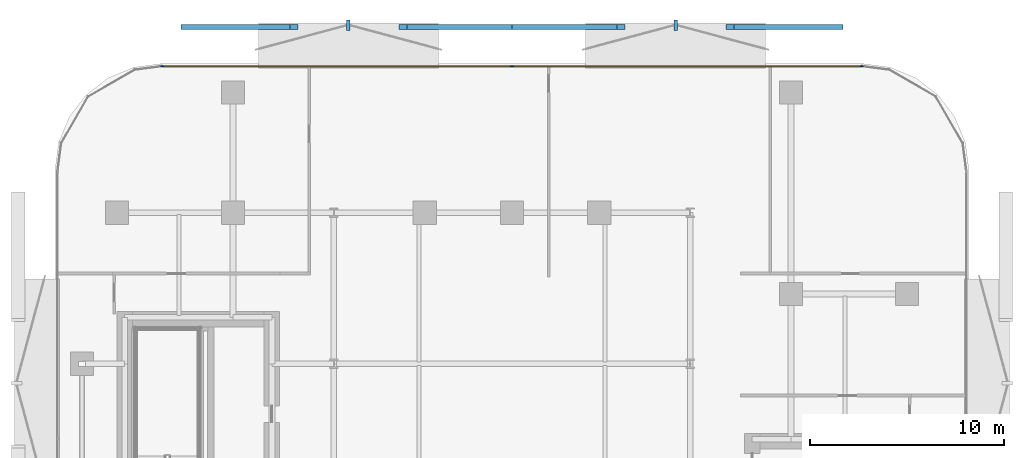
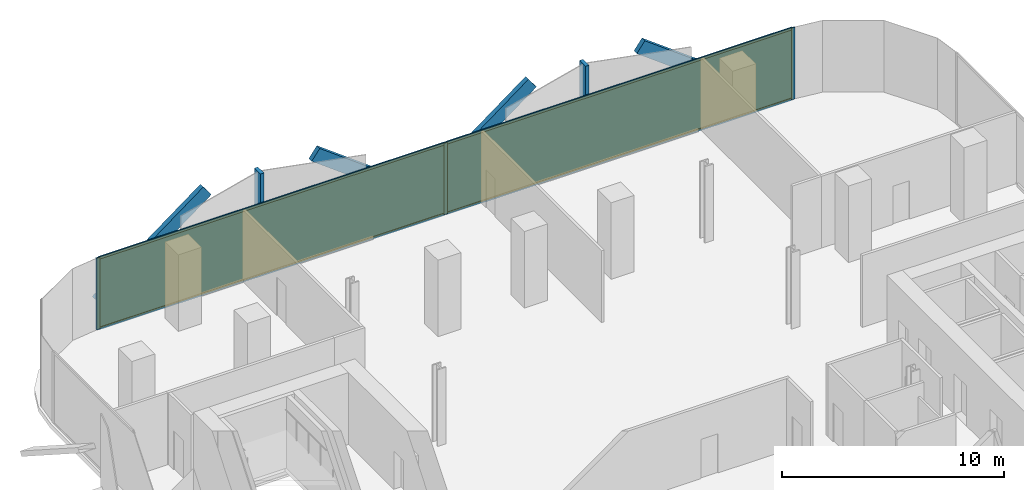
# One storey, part 10 of 15: 13 members, 2 plates, 1 curtain wall.
"""IFC4 building model written with IfcOpenShell, lengths in metres."""

from ifc_helpers import new_model, si_unit, direction, frame, frame_2d, origin, origin_2d, place, context, subcontext, project, spatial, rectangle, extrude, material, layer, layer_set, material_profile, profile_set, type_object, element, aggregate, save


model = new_model("IFC4")

# Units and contexts
model_context = context("Model", 3, precision=1e-05, world=origin(), true_north=direction((0.0, 1.0)))
body_context = subcontext(model_context, "Body", "Model", "MODEL_VIEW")
ifc_project = project(units=[si_unit("LENGTHUNIT", "METRE"), si_unit("AREAUNIT", "SQUARE_METRE"), si_unit("VOLUMEUNIT", "CUBIC_METRE"), si_unit("PLANEANGLEUNIT", "RADIAN"), si_unit("MASSUNIT", "GRAM", prefix="KILO")], contexts=[model_context])

# Member
ifc_material_1 = material(Name="Anodised Bronze Aluminium 6063-T6", Category="aluminium")
ifc_material_profile_1 = material_profile(ifc_material_1, rectangle(XDim=0.260009765625, YDim=0.699951171875, at=origin_2d()))
ifc_profile_set_1 = profile_set([ifc_material_profile_1], Name="Anodised Bronze Aluminium 6063-T6")
member_type_1 = type_object("IfcMemberType", Name="Bronze Diamond Solar-Screen Lattice Rib BDL-700", PredefinedType="MULLION", material=ifc_profile_set_1)
site_placement = place(None, origin())
building_placement = place(site_placement, origin())
storey_placement = place(building_placement, frame((0.0, 0.0, 131.0)))
member_1_placement = place(storey_placement, frame((-16.890869140625, 28.199951171875, -0.1298828125), z_axis=(0.801557173533, 0.0, 0.597918136167), x_axis=(0.0, 1.0, 0.0)))
member_1 = element("IfcMember", 1, at=member_1_placement, type_object=member_type_1, Name="L30 Bronze Diamond Solar Screen Lattice Rib 189A", PredefinedType="MULLION", context=body_context, shape_type="SweptSolid", body=[
    extrude(rectangle(XDim=0.260009765625, YDim=0.699951171875, at=origin_2d()), origin(), (0.0, 0.0, 1.0), 7.024169921875),
])

member_2_placement = place(storey_placement, frame((0.0, 28.199951171875, -0.1298828125), z_axis=(-0.801557173533, 0.0, 0.597918136167), x_axis=(0.0, -1.0, 0.0)))
member_2 = element("IfcMember", 2, at=member_2_placement, type_object=member_type_1, Name="L30 Bronze Diamond Solar Screen Lattice Rib 189B", PredefinedType="MULLION", context=body_context, shape_type="SweptSolid", body=[
    extrude(rectangle(XDim=0.260009765625, YDim=0.699951171875, at=origin_2d()), origin(), (0.0, 0.0, 1.0), 7.024169921875),
])

member_3_placement = place(storey_placement, frame((0.0, 28.199951171875, -0.1298828125), z_axis=(0.801557173533, 0.0, 0.597918136167), x_axis=(0.0, 1.0, 0.0)))
member_3 = element("IfcMember", 3, at=member_3_placement, type_object=member_type_1, Name="L30 Bronze Diamond Solar Screen Lattice Rib 190A", PredefinedType="MULLION", context=body_context, shape_type="SweptSolid", body=[
    extrude(rectangle(XDim=0.260009765625, YDim=0.699951171875, at=origin_2d()), origin(), (0.0, 0.0, 1.0), 7.024169921875),
])

member_4_placement = place(storey_placement, frame((16.890869140625, 28.199951171875, -0.1298828125), z_axis=(-0.801557173533, 0.0, 0.597918136167), x_axis=(0.0, -1.0, 0.0)))
member_4 = element("IfcMember", 4, at=member_4_placement, type_object=member_type_1, Name="L30 Bronze Diamond Solar Screen Lattice Rib 190B", PredefinedType="MULLION", context=body_context, shape_type="SweptSolid", body=[
    extrude(rectangle(XDim=0.260009765625, YDim=0.699951171875, at=origin_2d()), origin(), (0.0, 0.0, 1.0), 7.024169921875),
])

ifc_material_2 = material(Name="Anodised Bronze Aluminium 6063-T6", Category="aluminium")
ifc_material_profile_2 = material_profile(ifc_material_2, rectangle(XDim=0.179931640625, YDim=0.5400390625, at=origin_2d()))
ifc_profile_set_2 = profile_set([ifc_material_profile_2], Name="Anodised Bronze Aluminium 6063-T6")
member_type_2 = type_object("IfcMemberType", Name="Bronze Solar-Screen Vertical Fold Fin BSF-540", PredefinedType="MULLION", material=ifc_profile_set_2)
member_5_placement = place(storey_placement, frame((-8.4453125, 28.280029296875, -0.1298828125), z_axis=(0.0, 0.0, 1.0), x_axis=(1.0, 0.0, 0.0)))
member_5 = element("IfcMember", 5, at=member_5_placement, type_object=member_type_2, Name="L30 Bronze Solar Screen Vertical Fin 189", PredefinedType="MULLION", context=body_context, shape_type="SweptSolid", body=[
    extrude(rectangle(XDim=0.179931640625, YDim=0.5400390625, at=origin_2d()), origin(), (0.0, 0.0, 1.0), 4.199951171875),
])

member_6_placement = place(storey_placement, frame((8.4453125, 28.280029296875, -0.1298828125), z_axis=(0.0, 0.0, 1.0), x_axis=(1.0, 0.0, 0.0)))
member_6 = element("IfcMember", 6, at=member_6_placement, type_object=member_type_2, Name="L30 Bronze Solar Screen Vertical Fin 190", PredefinedType="MULLION", context=body_context, shape_type="SweptSolid", body=[
    extrude(rectangle(XDim=0.179931640625, YDim=0.5400390625, at=origin_2d()), origin(), (0.0, 0.0, 1.0), 4.199951171875),
])

ifc_material_3 = material(Name="Anodised Bronze Aluminium 6063-T6", Category="aluminium")
ifc_material_profile_3 = material_profile(ifc_material_3, rectangle(XDim=0.06494140625, YDim=0.175048828125, at=origin_2d()))
ifc_profile_set_3 = profile_set([ifc_material_profile_3], Name="Anodised Bronze Aluminium 6063-T6")
member_type_3 = type_object("IfcMemberType", Name="CW-Z2 Mullion 65x175", PredefinedType="MULLION", material=ifc_profile_set_3)
member_7_placement = place(storey_placement, frame((-18.058349609375, 26.159912109375, 0.0), z_axis=(0.0, 0.0, 1.0), x_axis=(0.0, 1.0, 0.0)))
member_7 = element("IfcMember", 7, at=member_7_placement, type_object=member_type_3, Name="CW-Z2 mullion 1", PredefinedType="MULLION", context=body_context, shape_type="SweptSolid", body=[
    extrude(rectangle(XDim=0.06494140625, YDim=0.175048828125, at=origin_2d()), origin(), (0.0, 0.0, 1.0), 3.93994140625),
])

member_8_placement = place(storey_placement, frame((0.0, 26.159912109375, 0.0), z_axis=(0.0, 0.0, 1.0), x_axis=(0.0, 1.0, 0.0)))
member_8 = element("IfcMember", 8, at=member_8_placement, type_object=member_type_3, Name="CW-Z2 mullion 2", PredefinedType="MULLION", context=body_context, shape_type="SweptSolid", body=[
    extrude(rectangle(XDim=0.06494140625, YDim=0.175048828125, at=origin_2d()), origin(), (0.0, 0.0, 1.0), 3.93994140625),
])

member_9_placement = place(storey_placement, frame((18.058349609375, 26.159912109375, 0.0), z_axis=(0.0, 0.0, 1.0), x_axis=(0.0, 1.0, 0.0)))
member_9 = element("IfcMember", 9, at=member_9_placement, type_object=member_type_3, Name="CW-Z2 mullion 3", PredefinedType="MULLION", context=body_context, shape_type="SweptSolid", body=[
    extrude(rectangle(XDim=0.06494140625, YDim=0.175048828125, at=origin_2d()), origin(), (0.0, 0.0, 1.0), 3.93994140625),
])

ifc_material_4 = material(Name="Anodised Bronze Aluminium 6063-T6", Category="aluminium")
ifc_material_profile_4 = material_profile(ifc_material_4, rectangle(XDim=0.06494140625, YDim=0.135009765625, at=origin_2d()))
ifc_profile_set_4 = profile_set([ifc_material_profile_4], Name="Anodised Bronze Aluminium 6063-T6")
member_type_4 = type_object("IfcMemberType", Name="CW-Z2 Transom 65x135", PredefinedType="USERDEFINED", material=ifc_profile_set_4)
member_10_placement = place(storey_placement, frame((-18.02587890625, 26.159912109375, 0.032470703125), z_axis=(1.0, 0.0, 0.0), x_axis=(0.0, 1.0, 0.0)))
member_10 = element("IfcMember", 10, at=member_10_placement, type_object=member_type_4, Name="CW-Z2 transom 1.1", ObjectType="TRANSOM", PredefinedType="USERDEFINED", context=body_context, shape_type="SweptSolid", body=[
    extrude(rectangle(XDim=0.06494140625, YDim=0.135009765625, at=origin_2d()), origin(), (0.0, 0.0, 1.0), 17.993408203125),
])

member_11_placement = place(storey_placement, frame((-18.02587890625, 26.159912109375, 3.907470703125), z_axis=(1.0, 0.0, 0.0), x_axis=(0.0, 1.0, 0.0)))
member_11 = element("IfcMember", 11, at=member_11_placement, type_object=member_type_4, Name="CW-Z2 transom 1.2", ObjectType="TRANSOM", PredefinedType="USERDEFINED", context=body_context, shape_type="SweptSolid", body=[
    extrude(rectangle(XDim=0.06494140625, YDim=0.135009765625, at=origin_2d()), origin(), (0.0, 0.0, 1.0), 17.993408203125),
])

member_12_placement = place(storey_placement, frame((0.032470703125, 26.159912109375, 0.032470703125), z_axis=(1.0, 0.0, 0.0), x_axis=(0.0, 1.0, 0.0)))
member_12 = element("IfcMember", 12, at=member_12_placement, type_object=member_type_4, Name="CW-Z2 transom 2.1", ObjectType="TRANSOM", PredefinedType="USERDEFINED", context=body_context, shape_type="SweptSolid", body=[
    extrude(rectangle(XDim=0.06494140625, YDim=0.135009765625, at=origin_2d()), origin(), (0.0, 0.0, 1.0), 17.993408203125),
])

member_13_placement = place(storey_placement, frame((0.032470703125, 26.159912109375, 3.907470703125), z_axis=(1.0, 0.0, 0.0), x_axis=(0.0, 1.0, 0.0)))
member_13 = element("IfcMember", 13, at=member_13_placement, type_object=member_type_4, Name="CW-Z2 transom 2.2", ObjectType="TRANSOM", PredefinedType="USERDEFINED", context=body_context, shape_type="SweptSolid", body=[
    extrude(rectangle(XDim=0.06494140625, YDim=0.135009765625, at=origin_2d()), origin(), (0.0, 0.0, 1.0), 17.993408203125),
])

# Plate
ifc_material_5 = material(Name="Low-E Solar Control Laminated Glass", Category="glass")
ifc_layer_1 = layer(ifc_material_5, 0.028076171875, Name="Low-E Solar Control Laminated Glass")
ifc_layer_set_1 = layer_set([ifc_layer_1], Name="Low-E Solar Control Laminated Glass")
plate_type = type_object("IfcPlateType", Name="CW-Z2 Low-E Double Glazed Panel 28mm", PredefinedType="CURTAIN_PANEL", material=ifc_layer_set_1)
plate_1_placement = place(storey_placement, frame((-9.029052734375, 26.159912109375, 0.06494140625), z_axis=(0.0, 0.0, 1.0), x_axis=(1.0, 0.0, 0.0)))
plate_1 = element("IfcPlate", 14, at=plate_1_placement, type_object=plate_type, Name="CW-Z2 panel 1.1", PredefinedType="CURTAIN_PANEL", context=body_context, shape_type="SweptSolid", body=[
    extrude(rectangle(XDim=17.993408203125, YDim=0.028076171875, at=origin_2d()), origin(), (0.0, 0.0, 1.0), 3.81005859375),
])

plate_2_placement = place(storey_placement, frame((9.029052734375, 26.159912109375, 0.06494140625), z_axis=(0.0, 0.0, 1.0), x_axis=(1.0, 0.0, 0.0)))
plate_2 = element("IfcPlate", 15, at=plate_2_placement, type_object=plate_type, Name="CW-Z2 panel 2.1", PredefinedType="CURTAIN_PANEL", context=body_context, shape_type="SweptSolid", body=[
    extrude(rectangle(XDim=17.993408203125, YDim=0.028076171875, at=origin_2d()), origin(), (0.0, 0.0, 1.0), 3.81005859375),
])

# Site, building, storey
site = spatial("IfcSite", under=ifc_project, at=site_placement, CompositionType="ELEMENT")
building = spatial("IfcBuilding", under=site, at=building_placement, Name="Khairoan Windgate Tower", CompositionType="ELEMENT")
storey = spatial("IfcBuildingStorey", under=building, at=storey_placement, Name="L30", CompositionType="ELEMENT", Elevation=131.0)

# Curtain wall
ifc_material_6 = material(Name="Anodised Bronze Aluminium 6063-T6", Category="aluminium")
ifc_layer_2 = layer(ifc_material_6, 0.175048828125, Name="Anodised Bronze Aluminium 6063-T6")
ifc_layer_set_2 = layer_set([ifc_layer_2], Name="Anodised Bronze Aluminium 6063-T6")
curtain_wall_type = type_object("IfcCurtainWallType", Name="Mid-Rise Office Unitised Curtain Wall CW-Z2", PredefinedType="NOTDEFINED", material=ifc_layer_set_2)
curtain_wall_placement = place(storey_placement, frame((-18.0908203125, 26.159912109375, 0.0), z_axis=(0.0, 0.0, 1.0), x_axis=(1.0, 0.0, 0.0)))
curtain_wall = element("IfcCurtainWall", 16, at=curtain_wall_placement, inside=storey, type_object=curtain_wall_type, Name="L30 Unitised Curtain Wall 11", PredefinedType="NOTDEFINED", context=body_context, shape_type="SweptSolid", body=[
    extrude(rectangle(XDim=36.181640625, YDim=0.010009765625, at=frame_2d((18.0908203125, 0.0))), origin(), (0.0, 0.0, 1.0), 3.93994140625),
])

aggregate(curtain_wall, [member_7, member_8, member_9, member_10, member_11, plate_1, member_12, member_13, plate_2, member_1, member_2, member_5, member_3, member_4, member_6])

save(model, "model.ifc")
